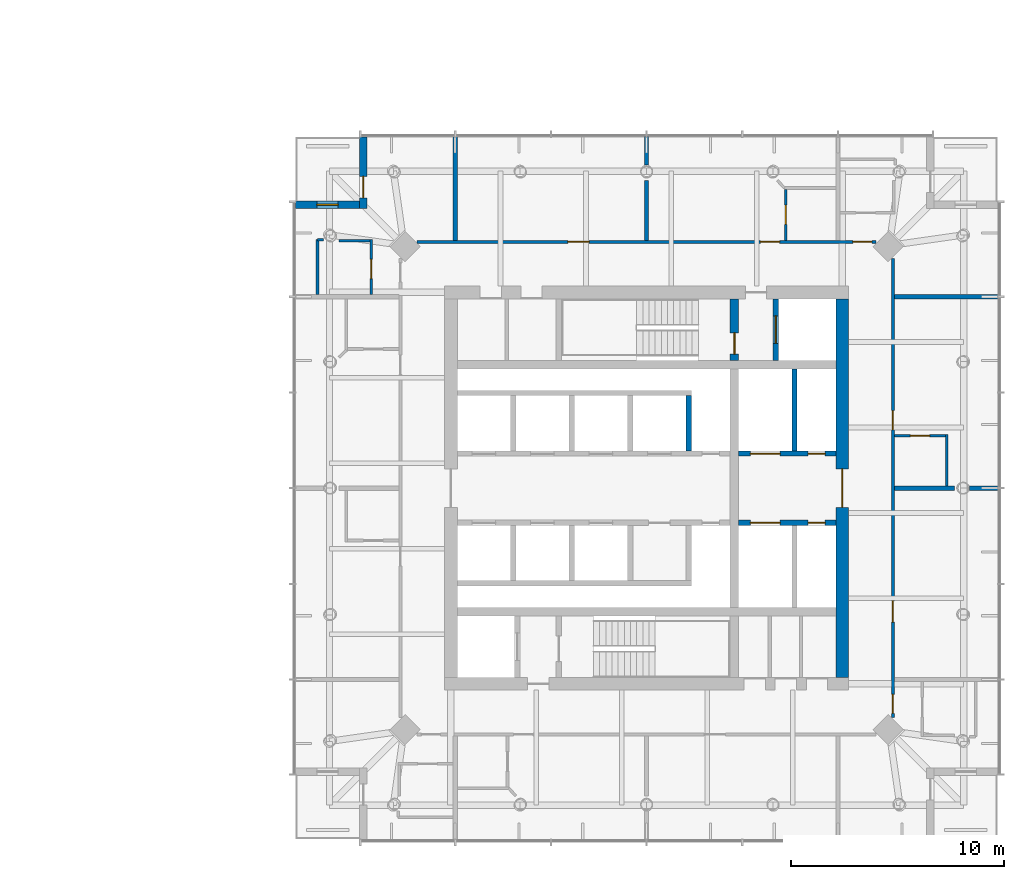
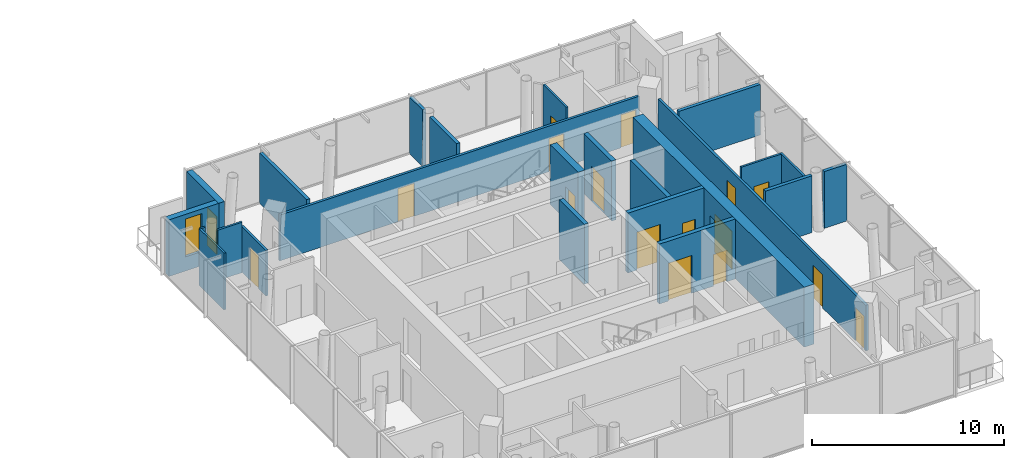
# One storey, part 15 of 19: 24 walls, 17 doors, 1 window, 18 openings.
"""IFC4 building model written with IfcOpenShell, lengths in metres."""

import ifcopenshell
import ifcopenshell.guid

model = None  # the IFC model being written
_history = None  # IfcOwnerHistory: only IFC2X3 demands one
_inside = {}  # id of a spatial element -> (the spatial element, [elements in it])
_under = {}  # id of a project, library or spatial element -> (it, [spatial elements below it])
_declared = {}  # id of a project -> (the project, [libraries it declares])
_typed = {}  # id of a type object -> (the type object, [elements of that type])
_made_of = {}  # id of a material, layer set ... -> (it, [elements and type objects made of it])


def new_model(schema):
    """Start an empty IFC model of exactly this schema.

    Asked for "IFC4X3", IfcOpenShell would pick the latest addendum, in which some entities
    have other attributes; the version numbers below select the first issue.
    IFC2X3 requires an IfcOwnerHistory on every rooted entity: one is made here for all.
    """
    global model, _history
    if schema == "IFC4X3":
        model = ifcopenshell.file(schema_version=(4, 3, 0, 0))
    else:
        model = ifcopenshell.file(schema=schema)
    _inside.clear()
    _under.clear()
    _declared.clear()
    _typed.clear()
    _made_of.clear()
    _history = None
    if model.schema == "IFC2X3":
        org = make("IfcOrganization", Name="unknown")
        user = make(
            "IfcPersonAndOrganization",
            ThePerson=make("IfcPerson", FamilyName="unknown"),
            TheOrganization=org,
        )
        app = make(
            "IfcApplication",
            ApplicationDeveloper=org,
            Version="unknown",
            ApplicationFullName="unknown",
            ApplicationIdentifier="unknown",
        )
        _history = make(
            "IfcOwnerHistory",
            OwningUser=user,
            OwningApplication=app,
            ChangeAction="ADDED",
            CreationDate=0,
        )
    return model


def make(cls, **values):
    """One entity of the class cls with the attributes given. An attribute that is None is left unset."""
    return model.create_entity(
        cls, **{name: value for name, value in values.items() if value is not None}
    )


def rooted(cls, **values):
    """An entity with a GlobalId (a new one), such as an element, a storey or a relation."""
    return make(cls, GlobalId=ifcopenshell.guid.new(), OwnerHistory=_history, **values)


def si_unit(unit_type, name, prefix=None):
    """IfcSIUnit, for example si_unit("LENGTHUNIT", "METRE", prefix="MILLI")."""
    return make("IfcSIUnit", UnitType=unit_type, Prefix=prefix, Name=name)


def assignment(units):
    """IfcUnitAssignment: the units of a project."""
    return None if units is None else make("IfcUnitAssignment", Units=units)


def point(xyz):
    """IfcCartesianPoint."""
    return None if xyz is None else make("IfcCartesianPoint", Coordinates=xyz)


def direction(xyz):
    """IfcDirection."""
    return None if xyz is None else make("IfcDirection", DirectionRatios=xyz)


def frame(location, z_axis=None, x_axis=None):
    """IfcAxis2Placement3D, a coordinate frame: its origin and axes. An axis left out is left unset."""
    return make(
        "IfcAxis2Placement3D",
        Location=point(location),
        Axis=direction(z_axis),
        RefDirection=direction(x_axis),
    )


def frame_2d(location, x_axis=None):
    """IfcAxis2Placement2D, a coordinate frame in the plane: its origin and x axis."""
    return make(
        "IfcAxis2Placement2D", Location=point(location), RefDirection=direction(x_axis)
    )


def origin():
    """The frame at (0, 0, 0) with its axes left unset."""
    return frame((0.0, 0.0, 0.0))


def place(relative_to, where):
    """IfcLocalPlacement: puts the frame where relative to a parent placement (None: the world)."""
    return make(
        "IfcLocalPlacement", PlacementRelTo=relative_to, RelativePlacement=where
    )


def context(
    kind, dimensions, precision=None, world=None, true_north=None, identifier=None
):
    """IfcGeometricRepresentationContext, for example the 3D "Model" context."""
    return make(
        "IfcGeometricRepresentationContext",
        ContextIdentifier=identifier,
        ContextType=kind,
        CoordinateSpaceDimension=dimensions,
        Precision=precision,
        WorldCoordinateSystem=world,
        TrueNorth=true_north,
    )


def subcontext(parent, identifier, kind, view, scale=None):
    """IfcGeometricRepresentationSubContext, for example "Body" below "Model"."""
    return make(
        "IfcGeometricRepresentationSubContext",
        ContextIdentifier=identifier,
        ContextType=kind,
        ParentContext=parent,
        TargetScale=scale,
        TargetView=view,
    )


def project(units=None, contexts=None):
    """IfcProject with its units and contexts."""
    return rooted(
        "IfcProject",
        Name="project",
        RepresentationContexts=contexts,
        UnitsInContext=assignment(units),
    )


def spatial(cls, under=None, at=None, **own):
    """A site, building, storey or space (cls), placed at a placement, below another one or the project."""
    s = rooted(cls, ObjectPlacement=at, **own)
    if under is not None:
        _under.setdefault(under.id(), (under, []))[1].append(s)
    return s


def profile(cls, at=None, kind="AREA", **sizes):
    """A parametric profile (cls). Its sizes go by their IFC names, for example OverallWidth=200.0."""
    return make(cls, ProfileType=kind, Position=at, **sizes)


def rectangle(**sizes):
    """IfcRectangleProfileDef."""
    return profile("IfcRectangleProfileDef", **sizes)


def extrude(swept, where, along, depth):
    """IfcExtrudedAreaSolid: the profile swept, set in the frame where, extruded along a direction by depth."""
    return make(
        "IfcExtrudedAreaSolid",
        SweptArea=swept,
        Position=where,
        ExtrudedDirection=direction(along),
        Depth=depth,
    )


def shape(context_of_items, identifier, shape_type, items):
    """IfcShapeRepresentation: the items that make up one representation, for example the "Body"."""
    return make(
        "IfcShapeRepresentation",
        ContextOfItems=context_of_items,
        RepresentationIdentifier=identifier,
        RepresentationType=shape_type,
        Items=items,
    )


def material(Name=None, Category=None):
    """IfcMaterial."""
    return make("IfcMaterial", Name=Name, Category=Category)


def layer(
    of_material, thickness, ventilated=None, Name=None, Category=None, Priority=None
):
    """IfcMaterialLayer: one layer of a wall or slab, of a material (None: an air gap)."""
    return make(
        "IfcMaterialLayer",
        Material=of_material,
        LayerThickness=thickness,
        IsVentilated=ventilated,
        Name=Name,
        Category=Category,
        Priority=Priority,
    )


def layer_set(layers, Name=None):
    """IfcMaterialLayerSet."""
    return make("IfcMaterialLayerSet", MaterialLayers=layers, LayerSetName=Name)


def made_of(thing, what):
    """Note that an element or type object is made of a material, layer set ...; save() writes the relation."""
    if what is not None:
        _made_of.setdefault(what.id(), (what, []))[1].append(thing)
    return thing


def type_object(cls, material=None, **own):
    """A type object (cls), such as IfcWallType, which elements share."""
    return made_of(rooted(cls, **own), material)


def element(
    cls,
    number,
    at=None,
    inside=None,
    cuts=None,
    type_object=None,
    material=None,
    context=None,
    identifier="Body",
    shape_type=None,
    held_by="IfcProductDefinitionShape",
    body=None,
    shapes=None,
    **own,
):
    """One element of the class cls, such as IfcWall. Its Tag is "e" and its number.

    at: its placement. inside: the storey or other place that contains it. cuts: it is an
    opening in that element (IfcRelVoidsElement). A single representation is given by context,
    identifier, shape_type and body (its items); several are given by shapes. held_by: the class
    of the entity that holds the representations. save() writes the other relations.
    """
    e = rooted(cls, Tag="e%d" % number, ObjectPlacement=at, **own)
    if body is not None:
        shapes = [shape(context, identifier, shape_type, body)]
    if shapes is not None:
        e.Representation = make(held_by, Representations=shapes)
    if inside is not None:
        _inside.setdefault(inside.id(), (inside, []))[1].append(e)
    if cuts is not None:
        rooted(
            "IfcRelVoidsElement", RelatingBuildingElement=cuts, RelatedOpeningElement=e
        )
    if type_object is not None:
        _typed.setdefault(type_object.id(), (type_object, []))[1].append(e)
    return made_of(e, material)


def fill(opening, filler):
    """IfcRelFillsElement: the door or window that sits in an opening."""
    return rooted(
        "IfcRelFillsElement",
        RelatingOpeningElement=opening,
        RelatedBuildingElement=filler,
    )


def aggregate(whole, parts):
    """IfcRelAggregates: a whole, such as a stair, and the parts it consists of."""
    return rooted("IfcRelAggregates", RelatingObject=whole, RelatedObjects=parts)


def save(model, path):
    """Write the relations noted so far, then the file.

    IfcRelAggregates (storeys below a building ...), IfcRelContainedInSpatialStructure (elements
    in a storey), IfcRelDefinesByType, IfcRelAssociatesMaterial and IfcRelDeclares: one each for
    every whole, place, type object, material and project.
    """
    for whole, parts in _under.values():
        aggregate(whole, parts)
    for where, things in _inside.values():
        rooted(
            "IfcRelContainedInSpatialStructure",
            RelatedElements=things,
            RelatingStructure=where,
        )
    for kind, things in _typed.values():
        rooted("IfcRelDefinesByType", RelatedObjects=things, RelatingType=kind)
    for what, things in _made_of.values():
        rooted("IfcRelAssociatesMaterial", RelatedObjects=things, RelatingMaterial=what)
    for by, libraries in _declared.values():
        rooted("IfcRelDeclares", RelatingContext=by, RelatedDefinitions=libraries)
    model.write(path)


model = new_model("IFC4")

# Units and contexts
model_context = context("Model", 3, precision=1e-05, world=origin(), true_north=direction((0.0, 1.0)))
body_context = subcontext(model_context, "Body", "Model", "MODEL_VIEW")
ifc_project = project(units=[si_unit("LENGTHUNIT", "METRE"), si_unit("AREAUNIT", "SQUARE_METRE"), si_unit("VOLUMEUNIT", "CUBIC_METRE"), si_unit("PLANEANGLEUNIT", "RADIAN"), si_unit("MASSUNIT", "GRAM", prefix="KILO")], contexts=[model_context])

# Site, building, storey
site_placement = place(None, origin())
site = spatial("IfcSite", under=ifc_project, at=site_placement, CompositionType="ELEMENT")
building_placement = place(site_placement, origin())
building = spatial("IfcBuilding", under=site, at=building_placement, Name="Ostroluk Exchange", CompositionType="ELEMENT")
storey_placement = place(building_placement, frame((0.0, 0.0, 116.0)))
storey = spatial("IfcBuildingStorey", under=building, at=storey_placement, Name="L29", CompositionType="ELEMENT", Elevation=116.0)

# Wall, opening, door
ifc_material_1 = material(Name="Concrete C50/60", Category="concrete")
ifc_layer_1 = layer(ifc_material_1, 0.39990234375)
ifc_layer_set_1 = layer_set([ifc_layer_1], Name="Core cross wall 400 C50/60")
wall_type_1 = type_object("IfcWallType", Name="Core cross wall 400 C50/60", PredefinedType="SHEAR", material=ifc_layer_set_1)
wall_1_placement = place(storey_placement, frame((121.1298828125, 52.0, 0.0), z_axis=(0.0, 0.0, 1.0), x_axis=(0.0, 1.0, 0.0)))
wall_1 = element("IfcWall", 1, at=wall_1_placement, inside=storey, type_object=wall_type_1, Name="T2 core wall YE3", PredefinedType="SHEAR", context=body_context, shape_type="SweptSolid", body=[
    extrude(rectangle(XDim=2.89990234375, YDim=0.39990234375, at=frame_2d((1.449951171875, 0.0))), origin(), (0.0, 0.0, 1.0), 3.800048828125),
])
opening_1_placement = place(wall_1_placement, frame((0.300048828125, 0.0, 0.0)))
opening_1 = element("IfcOpeningElement", 2, at=opening_1_placement, cuts=wall_1, Name="Opening FD60", PredefinedType="OPENING", context=body_context, shape_type="SweptSolid", body=[
    extrude(rectangle(XDim=1.0, YDim=2.10009765625, at=frame_2d((0.5, 1.050048828125))), frame((0.0, 0.2099609375, 0.0), z_axis=(0.0, -1.0, 0.0), x_axis=(1.0, 0.0, 0.0)), (0.0, 0.0, 1.0), 0.419921875),
])
ifc_material_2 = material(Name="Steel", Category="steel")
door_type_1 = type_object("IfcDoorType", Name="Fire door EI 60 1000 x 2100", OperationType="SINGLE_SWING_LEFT", PredefinedType="DOOR", material=ifc_material_2)
door_1_placement = place(opening_1_placement, origin())
door_1 = element("IfcDoor", 3, at=door_1_placement, inside=storey, type_object=door_type_1, Name="Stair T2-S2 door", OperationType="SINGLE_SWING_LEFT", OverallHeight=2.10009765625, OverallWidth=1.0, PredefinedType="DOOR", context=body_context, shape_type="SweptSolid", body=[
    extrude(rectangle(XDim=1.0, YDim=2.10009765625, at=frame_2d((0.5, 1.050048828125))), frame((0.0, 0.02490234375, 0.0), z_axis=(0.0, -1.0, 0.0), x_axis=(1.0, 0.0, 0.0)), (0.0, 0.0, 1.0), 0.050048828125),
])
fill(opening_1, door_1)

ifc_material_3 = material(Name="Concrete C40/50", Category="concrete")
ifc_layer_2 = layer(ifc_material_3, 0.25)
ifc_layer_set_2 = layer_set([ifc_layer_2], Name="Core shaft wall 250")
wall_type_2 = type_object("IfcWallType", Name="Core shaft wall 250", PredefinedType="SHEAR", material=ifc_layer_set_2)
wall_2_placement = place(storey_placement, frame((123.074951171875, 52.0, 0.0), z_axis=(0.0, 0.0, 1.0), x_axis=(0.0, 1.0, 0.0)))
wall_2 = element("IfcWall", 4, at=wall_2_placement, inside=storey, type_object=wall_type_2, Name="Firefighting lift shaft wall", PredefinedType="SHEAR", context=body_context, shape_type="SweptSolid", body=[
    extrude(rectangle(XDim=2.89990234375, YDim=0.25, at=frame_2d((1.449951171875, 0.0))), origin(), (0.0, 0.0, 1.0), 3.800048828125),
])
opening_2_placement = place(wall_2_placement, frame((0.800048828125, 0.0, 0.0)))
opening_2 = element("IfcOpeningElement", 5, at=opening_2_placement, cuts=wall_2, Name="Opening LD2", PredefinedType="OPENING", context=body_context, shape_type="SweptSolid", body=[
    extrude(rectangle(XDim=1.300048828125, YDim=2.199951171875, at=frame_2d((0.64990234375, 1.10009765625))), frame((0.0, 0.135009765625, 0.0), z_axis=(0.0, -1.0, 0.0), x_axis=(1.0, 0.0, 0.0)), (0.0, 0.0, 1.0), 0.27001953125),
])
ifc_material_4 = material(Name="Stainless steel", Category="steel")
door_type_2 = type_object("IfcDoorType", Name="Lift landing door E 60 1300 x 2200", OperationType="DOUBLE_DOOR_SLIDING", PredefinedType="DOOR", material=ifc_material_4)
door_2_placement = place(opening_2_placement, origin())
door_2 = element("IfcDoor", 6, at=door_2_placement, inside=storey, type_object=door_type_2, Name="Lift HF2 landing door", OperationType="DOUBLE_DOOR_SLIDING", OverallHeight=2.199951171875, OverallWidth=1.300048828125, PredefinedType="DOOR", context=body_context, shape_type="SweptSolid", body=[
    extrude(rectangle(XDim=1.300048828125, YDim=2.199951171875, at=frame_2d((0.64990234375, 1.10009765625))), frame((0.0, 0.02490234375, 0.0), z_axis=(0.0, -1.0, 0.0), x_axis=(1.0, 0.0, 0.0)), (0.0, 0.0, 1.0), 0.050048828125),
])
fill(opening_2, door_2)

# Walls
wall_3_placement = place(storey_placement, frame((118.97509765625, 47.75, 0.0), z_axis=(0.0, 0.0, 1.0), x_axis=(0.0, 1.0, 0.0)))
element("IfcWall", 7, at=wall_3_placement, inside=storey, type_object=wall_type_2, Name="Lift shaft wall", PredefinedType="SHEAR", context=body_context, shape_type="SweptSolid", body=[
    extrude(rectangle(XDim=2.60009765625, YDim=0.25, at=frame_2d((1.300048828125, 0.0))), origin(), (0.0, 0.0, 1.0), 3.800048828125),
])
wall_4_placement = place(storey_placement, frame((123.955078125, 47.75, 0.0), z_axis=(0.0, 0.0, 1.0), x_axis=(0.0, 1.0, 0.0)))
element("IfcWall", 8, at=wall_4_placement, inside=storey, type_object=wall_type_2, Name="Lift shaft wall", PredefinedType="SHEAR", context=body_context, shape_type="SweptSolid", body=[
    extrude(rectangle(XDim=3.85009765625, YDim=0.25, at=frame_2d((1.925048828125, 0.0))), origin(), (0.0, 0.0, 1.0), 3.800048828125),
])

# Wall, openings, doors
wall_5_placement = place(storey_placement, frame((121.330078125, 47.625, 0.0), z_axis=(0.0, 0.0, 1.0), x_axis=(1.0, 0.0, 0.0)))
wall_5 = element("IfcWall", 9, at=wall_5_placement, inside=storey, type_object=wall_type_2, Name="Lift shaft front wall", PredefinedType="SHEAR", context=body_context, shape_type="SweptSolid", body=[
    extrude(rectangle(XDim=4.56982421875, YDim=0.25, at=frame_2d((2.284912109375, 0.0))), origin(), (0.0, 0.0, 1.0), 3.800048828125),
])
opening_3_placement = place(wall_5_placement, frame((0.550048828125, 0.0, 0.0)))
opening_3 = element("IfcOpeningElement", 10, at=opening_3_placement, cuts=wall_5, Name="Opening LD3", PredefinedType="OPENING", context=body_context, shape_type="SweptSolid", body=[
    extrude(rectangle(XDim=1.39990234375, YDim=2.39990234375, at=frame_2d((0.699951171875, 1.199951171875))), frame((0.0, 0.135009765625, 0.0), z_axis=(0.0, -1.0, 0.0), x_axis=(1.0, 0.0, 0.0)), (0.0, 0.0, 1.0), 0.27001953125),
])
opening_4_placement = place(wall_5_placement, frame((3.260009765625, 0.0, 0.0)))
opening_4 = element("IfcOpeningElement", 11, at=opening_4_placement, cuts=wall_5, Name="Opening RD60", PredefinedType="OPENING", context=body_context, shape_type="SweptSolid", body=[
    extrude(rectangle(XDim=0.800048828125, YDim=2.0, at=frame_2d((0.39990234375, 1.0))), frame((0.0, 0.135009765625, 0.0), z_axis=(0.0, -1.0, 0.0), x_axis=(1.0, 0.0, 0.0)), (0.0, 0.0, 1.0), 0.27001953125),
])
ifc_material_5 = material(Name="Stainless steel", Category="steel")
door_type_3 = type_object("IfcDoorType", Name="Goods lift landing door E 60 1400 x 2400", OperationType="DOUBLE_DOOR_SLIDING", PredefinedType="DOOR", material=ifc_material_5)
door_3_placement = place(opening_3_placement, origin())
door_3 = element("IfcDoor", 12, at=door_3_placement, inside=storey, type_object=door_type_3, Name="Lift HS1 landing door", OperationType="DOUBLE_DOOR_SLIDING", OverallHeight=2.39990234375, OverallWidth=1.39990234375, PredefinedType="DOOR", context=body_context, shape_type="SweptSolid", body=[
    extrude(rectangle(XDim=1.39990234375, YDim=2.39990234375, at=frame_2d((0.699951171875, 1.199951171875))), frame((0.0, 0.02490234375, 0.0), z_axis=(0.0, -1.0, 0.0), x_axis=(1.0, 0.0, 0.0)), (0.0, 0.0, 1.0), 0.050048828125),
])
fill(opening_3, door_3)
ifc_material_6 = material(Name="Steel", Category="steel")
door_type_4 = type_object("IfcDoorType", Name="Riser access door EI 60 800 x 2000", OperationType="SINGLE_SWING_LEFT", PredefinedType="DOOR", material=ifc_material_6)
door_4_placement = place(opening_4_placement, origin())
door_4 = element("IfcDoor", 13, at=door_4_placement, inside=storey, type_object=door_type_4, Name="Riser access door", OperationType="SINGLE_SWING_RIGHT", OverallHeight=2.0, OverallWidth=0.800048828125, PredefinedType="DOOR", context=body_context, shape_type="SweptSolid", body=[
    extrude(rectangle(XDim=0.800048828125, YDim=2.0, at=frame_2d((0.39990234375, 1.0))), frame((0.0, 0.02490234375, 0.0), z_axis=(0.0, -1.0, 0.0), x_axis=(1.0, 0.0, 0.0)), (0.0, 0.0, 1.0), 0.050048828125),
])
fill(opening_4, door_4)

wall_6_placement = place(storey_placement, frame((121.330078125, 44.375, 0.0), z_axis=(0.0, 0.0, 1.0), x_axis=(1.0, 0.0, 0.0)))
wall_6 = element("IfcWall", 14, at=wall_6_placement, inside=storey, type_object=wall_type_2, Name="Lift shaft front wall", PredefinedType="SHEAR", context=body_context, shape_type="SweptSolid", body=[
    extrude(rectangle(XDim=4.56982421875, YDim=0.25, at=frame_2d((2.284912109375, 0.0))), origin(), (0.0, 0.0, 1.0), 3.800048828125),
])
opening_5_placement = place(wall_6_placement, frame((0.550048828125, 0.0, 0.0)))
opening_5 = element("IfcOpeningElement", 15, at=opening_5_placement, cuts=wall_6, Name="Opening LD3", PredefinedType="OPENING", context=body_context, shape_type="SweptSolid", body=[
    extrude(rectangle(XDim=1.39990234375, YDim=2.39990234375, at=frame_2d((0.699951171875, 1.199951171875))), frame((0.0, 0.135009765625, 0.0), z_axis=(0.0, -1.0, 0.0), x_axis=(1.0, 0.0, 0.0)), (0.0, 0.0, 1.0), 0.27001953125),
])
opening_6_placement = place(wall_6_placement, frame((3.260009765625, 0.0, 0.0)))
opening_6 = element("IfcOpeningElement", 16, at=opening_6_placement, cuts=wall_6, Name="Opening RD60", PredefinedType="OPENING", context=body_context, shape_type="SweptSolid", body=[
    extrude(rectangle(XDim=0.800048828125, YDim=2.0, at=frame_2d((0.39990234375, 1.0))), frame((0.0, 0.135009765625, 0.0), z_axis=(0.0, -1.0, 0.0), x_axis=(1.0, 0.0, 0.0)), (0.0, 0.0, 1.0), 0.27001953125),
])
door_5_placement = place(opening_5_placement, origin())
door_5 = element("IfcDoor", 17, at=door_5_placement, inside=storey, type_object=door_type_3, Name="Lift HS2 landing door", OperationType="DOUBLE_DOOR_SLIDING", OverallHeight=2.39990234375, OverallWidth=1.39990234375, PredefinedType="DOOR", context=body_context, shape_type="SweptSolid", body=[
    extrude(rectangle(XDim=1.39990234375, YDim=2.39990234375, at=frame_2d((0.699951171875, 1.199951171875))), frame((0.0, 0.02490234375, 0.0), z_axis=(0.0, -1.0, 0.0), x_axis=(1.0, 0.0, 0.0)), (0.0, 0.0, 1.0), 0.050048828125),
])
fill(opening_5, door_5)
door_6_placement = place(opening_6_placement, origin())
door_6 = element("IfcDoor", 18, at=door_6_placement, inside=storey, type_object=door_type_4, Name="Riser access door", OperationType="SINGLE_SWING_RIGHT", OverallHeight=2.0, OverallWidth=0.800048828125, PredefinedType="DOOR", context=body_context, shape_type="SweptSolid", body=[
    extrude(rectangle(XDim=0.800048828125, YDim=2.0, at=frame_2d((0.39990234375, 1.0))), frame((0.0, 0.02490234375, 0.0), z_axis=(0.0, -1.0, 0.0), x_axis=(1.0, 0.0, 0.0)), (0.0, 0.0, 1.0), 0.050048828125),
])
fill(opening_6, door_6)

# Wall, opening, door
ifc_material_7 = material(Name="Concrete C50/60", Category="concrete")
ifc_layer_3 = layer(ifc_material_7, 0.60009765625)
ifc_layer_set_3 = layer_set([ifc_layer_3], Name="Core wall 600 C50/60")
wall_type_3 = type_object("IfcWallType", Name="Core wall 600 C50/60", PredefinedType="SHEAR", material=ifc_layer_set_3)
wall_7_placement = place(storey_placement, frame((126.199951171875, 37.10009765625, 0.0), z_axis=(0.0, 0.0, 1.0), x_axis=(0.0, 1.0, 0.0)))
wall_7 = element("IfcWall", 19, at=wall_7_placement, inside=storey, type_object=wall_type_3, Name="T2 core wall E", PredefinedType="SHEAR", context=body_context, shape_type="SweptSolid", body=[
    extrude(rectangle(XDim=17.7998046875, YDim=0.60009765625, at=frame_2d((8.89990234375, 0.0))), origin(), (0.0, 0.0, 1.0), 3.800048828125),
])
opening_7_placement = place(wall_7_placement, frame((8.0, 0.0, 0.0)))
opening_7 = element("IfcOpeningElement", 20, at=opening_7_placement, cuts=wall_7, Name="Opening FD30D", PredefinedType="OPENING", context=body_context, shape_type="SweptSolid", body=[
    extrude(rectangle(XDim=1.800048828125, YDim=2.39990234375, at=frame_2d((0.89990234375, 1.199951171875))), frame((0.0, 0.31005859375, 0.0), z_axis=(0.0, -1.0, 0.0), x_axis=(1.0, 0.0, 0.0)), (0.0, 0.0, 1.0), 0.6201171875),
])
ifc_material_8 = material(Name="Timber", Category="wood")
door_type_5 = type_object("IfcDoorType", Name="Lobby double door EI 30 1800 x 2400", OperationType="DOUBLE_DOOR_SINGLE_SWING", PredefinedType="DOOR", material=ifc_material_8)
door_7_placement = place(opening_7_placement, origin())
door_7 = element("IfcDoor", 21, at=door_7_placement, inside=storey, type_object=door_type_5, Name="Lift lobby doors", OperationType="DOUBLE_DOOR_SINGLE_SWING", OverallHeight=2.39990234375, OverallWidth=1.800048828125, PredefinedType="DOOR", context=body_context, shape_type="SweptSolid", body=[
    extrude(rectangle(XDim=1.800048828125, YDim=2.39990234375, at=frame_2d((0.89990234375, 1.199951171875))), frame((0.0, 0.02490234375, 0.0), z_axis=(0.0, -1.0, 0.0), x_axis=(1.0, 0.0, 0.0)), (0.0, 0.0, 1.0), 0.050048828125),
])
fill(opening_7, door_7)

ifc_material_9 = material(Name="Limestone", Category="masonry")
ifc_layer_4 = layer(ifc_material_9, 0.35009765625)
ifc_layer_set_4 = layer_set([ifc_layer_4], Name="Limestone facade wall 350")
wall_type_4 = type_object("IfcWallType", Name="Limestone facade wall 350", PredefinedType="SOLIDWALL", material=ifc_layer_set_4)
wall_8_placement = place(storey_placement, frame((103.675048828125, 62.5, 0.0), z_axis=(0.0, 0.0, 1.0), x_axis=(0.0, -1.0, 0.0)))
wall_8 = element("IfcWall", 22, at=wall_8_placement, inside=storey, type_object=wall_type_4, Name="Hotel tower NW corner wall L29 a", PredefinedType="SOLIDWALL", context=body_context, shape_type="SweptSolid", body=[
    extrude(rectangle(XDim=3.35009765625, YDim=0.35009765625, at=frame_2d((1.675048828125, 0.0))), origin(), (0.0, 0.0, 1.0), 3.60009765625),
])
opening_8_placement = place(wall_8_placement, frame((1.85009765625, 0.0, 0.0)))
opening_8 = element("IfcOpeningElement", 23, at=opening_8_placement, cuts=wall_8, Name="Opening D-B1", PredefinedType="OPENING", context=body_context, shape_type="SweptSolid", body=[
    extrude(rectangle(XDim=1.0, YDim=2.39990234375, at=frame_2d((0.5, 1.199951171875))), frame((0.0, 0.18505859375, 0.0), z_axis=(0.0, -1.0, 0.0), x_axis=(1.0, 0.0, 0.0)), (0.0, 0.0, 1.0), 0.3701171875),
])
ifc_material_10 = material(Name="Bronze framed glazed door", Category="aluminium")
door_type_6 = type_object("IfcDoorType", Name="Balcony door 1000 x 2400", OperationType="SINGLE_SWING_LEFT", PredefinedType="DOOR", material=ifc_material_10)
door_8_placement = place(opening_8_placement, origin())
door_8 = element("IfcDoor", 24, at=door_8_placement, inside=storey, type_object=door_type_6, Name="Hotel tower NW balcony door L29", OperationType="SINGLE_SWING_RIGHT", OverallHeight=2.39990234375, OverallWidth=1.0, PredefinedType="DOOR", context=body_context, shape_type="SweptSolid", body=[
    extrude(rectangle(XDim=1.0, YDim=2.39990234375, at=frame_2d((0.5, 1.199951171875))), frame((0.0, 0.02490234375, 0.0), z_axis=(0.0, -1.0, 0.0), x_axis=(1.0, 0.0, 0.0)), (0.0, 0.0, 1.0), 0.050048828125),
])
fill(opening_8, door_8)

# Wall, opening, window
wall_9_placement = place(storey_placement, frame((103.5, 59.324951171875, 0.0), z_axis=(0.0, 0.0, 1.0), x_axis=(-1.0, 0.0, 0.0)))
wall_9 = element("IfcWall", 25, at=wall_9_placement, inside=storey, type_object=wall_type_4, Name="Hotel tower NW corner wall L29 b", PredefinedType="SOLIDWALL", context=body_context, shape_type="SweptSolid", body=[
    extrude(rectangle(XDim=3.0, YDim=0.35009765625, at=frame_2d((1.5, 0.0))), origin(), (0.0, 0.0, 1.0), 3.60009765625),
])
opening_9_placement = place(wall_9_placement, frame((1.0, 0.0, 0.89990234375)))
opening_9 = element("IfcOpeningElement", 26, at=opening_9_placement, cuts=wall_9, Name="Opening WN-L3", PredefinedType="OPENING", context=body_context, shape_type="SweptSolid", body=[
    extrude(rectangle(XDim=1.0, YDim=2.39990234375, at=frame_2d((0.5, 1.199951171875))), frame((0.0, 0.18505859375, 0.0), z_axis=(0.0, -1.0, 0.0), x_axis=(1.0, 0.0, 0.0)), (0.0, 0.0, 1.0), 0.3701171875),
])
ifc_material_11 = material(Name="Laminated clear glass", Category="glass")
window_type = type_object("IfcWindowType", Name="Hotel lancet window 1000 x 2400", PartitioningType="SINGLE_PANEL", PredefinedType="WINDOW", material=ifc_material_11)
window_placement = place(opening_9_placement, origin())
window = element("IfcWindow", 27, at=window_placement, inside=storey, type_object=window_type, Name="Hotel tower NW lancet window L29", OverallHeight=2.39990234375, OverallWidth=1.0, PartitioningType="SINGLE_PANEL", PredefinedType="WINDOW", context=body_context, shape_type="SweptSolid", body=[
    extrude(rectangle(XDim=1.0, YDim=2.39990234375, at=frame_2d((0.5, 1.199951171875))), frame((0.0, 0.030029296875, 0.0), z_axis=(0.0, -1.0, 0.0), x_axis=(1.0, 0.0, 0.0)), (0.0, 0.0, 1.0), 0.06005859375),
])
fill(opening_9, window)

# Wall
ifc_material_12 = material(Name="Gypsum plasterboard partition, moisture resistant", Category="gypsum")
ifc_layer_5 = layer(ifc_material_12, 0.1201171875)
ifc_layer_set_5 = layer_set([ifc_layer_5], Name="Plasterboard en-suite wall 120")
wall_type_5 = type_object("IfcWallType", Name="Plasterboard en-suite wall 120", PredefinedType="PARTITIONING", material=ifc_layer_set_5)
wall_10_placement = place(storey_placement, frame((131.110107421875, 46.10009765625, 0.0), z_axis=(0.0, 0.0, 1.0), x_axis=(0.0, 1.0, 0.0)))
element("IfcWall", 28, at=wall_10_placement, inside=storey, type_object=wall_type_5, Name="En-suite wall", PredefinedType="PARTITIONING", context=body_context, shape_type="SweptSolid", body=[
    extrude(rectangle(XDim=2.419921875, YDim=0.1201171875, at=frame_2d((1.2099609375, 0.0))), origin(), (0.0, 0.0, 1.0), 3.60009765625),
])

# Wall, opening, door
wall_11_placement = place(storey_placement, frame((128.64990234375, 48.4599609375, 0.0), z_axis=(0.0, 0.0, 1.0), x_axis=(1.0, 0.0, 0.0)))
wall_11 = element("IfcWall", 29, at=wall_11_placement, inside=storey, type_object=wall_type_5, Name="En-suite wall", PredefinedType="PARTITIONING", context=body_context, shape_type="SweptSolid", body=[
    extrude(rectangle(XDim=2.400146484375, YDim=0.1201171875, at=frame_2d((1.2001953125, 0.0))), origin(), (0.0, 0.0, 1.0), 3.60009765625),
])
opening_10_placement = place(wall_11_placement, frame((0.75, 0.0, 0.0)))
opening_10 = element("IfcOpeningElement", 30, at=opening_10_placement, cuts=wall_11, Name="Opening D-02", PredefinedType="OPENING", context=body_context, shape_type="SweptSolid", body=[
    extrude(rectangle(XDim=0.89990234375, YDim=2.10009765625, at=frame_2d((0.449951171875, 1.050048828125))), frame((0.0, 0.070068359375, 0.0), z_axis=(0.0, -1.0, 0.0), x_axis=(1.0, 0.0, 0.0)), (0.0, 0.0, 1.0), 0.14013671875),
])
ifc_material_13 = material(Name="Timber", Category="wood")
door_type_7 = type_object("IfcDoorType", Name="En-suite door 900 x 2100", OperationType="SINGLE_SWING_LEFT", PredefinedType="DOOR", material=ifc_material_13)
door_9_placement = place(opening_10_placement, origin())
door_9 = element("IfcDoor", 31, at=door_9_placement, inside=storey, type_object=door_type_7, Name="En-suite door 2902", OperationType="SINGLE_SWING_LEFT", OverallHeight=2.10009765625, OverallWidth=0.89990234375, PredefinedType="DOOR", context=body_context, shape_type="SweptSolid", body=[
    extrude(rectangle(XDim=0.89990234375, YDim=2.10009765625, at=frame_2d((0.449951171875, 1.050048828125))), frame((0.0, 0.02490234375, 0.0), z_axis=(0.0, -1.0, 0.0), x_axis=(1.0, 0.0, 0.0)), (0.0, 0.0, 1.0), 0.050048828125),
])
fill(opening_10, door_9)

wall_12_placement = place(storey_placement, frame((123.5400390625, 57.64990234375, 0.0), z_axis=(0.0, 0.0, 1.0), x_axis=(0.0, 1.0, 0.0)))
wall_12 = element("IfcWall", 32, at=wall_12_placement, inside=storey, type_object=wall_type_5, Name="En-suite wall", PredefinedType="PARTITIONING", context=body_context, shape_type="SweptSolid", body=[
    extrude(rectangle(XDim=2.400146484375, YDim=0.1201171875, at=frame_2d((1.2001953125, 0.0))), origin(), (0.0, 0.0, 1.0), 3.60009765625),
])
opening_11_placement = place(wall_12_placement, frame((0.75, 0.0, 0.0)))
opening_11 = element("IfcOpeningElement", 33, at=opening_11_placement, cuts=wall_12, Name="Opening D-02", PredefinedType="OPENING", context=body_context, shape_type="SweptSolid", body=[
    extrude(rectangle(XDim=0.89990234375, YDim=2.10009765625, at=frame_2d((0.449951171875, 1.050048828125))), frame((0.0, 0.070068359375, 0.0), z_axis=(0.0, -1.0, 0.0), x_axis=(1.0, 0.0, 0.0)), (0.0, 0.0, 1.0), 0.14013671875),
])
door_10_placement = place(opening_11_placement, origin())
door_10 = element("IfcDoor", 34, at=door_10_placement, inside=storey, type_object=door_type_7, Name="En-suite door 2904", OperationType="SINGLE_SWING_RIGHT", OverallHeight=2.10009765625, OverallWidth=0.89990234375, PredefinedType="DOOR", context=body_context, shape_type="SweptSolid", body=[
    extrude(rectangle(XDim=0.89990234375, YDim=2.10009765625, at=frame_2d((0.449951171875, 1.050048828125))), frame((0.0, 0.02490234375, 0.0), z_axis=(0.0, -1.0, 0.0), x_axis=(1.0, 0.0, 0.0)), (0.0, 0.0, 1.0), 0.050048828125),
])
fill(opening_11, door_10)

wall_13_placement = place(storey_placement, frame((104.050048828125, 55.10009765625, 0.0), z_axis=(0.0, 0.0, 1.0), x_axis=(0.0, 1.0, 0.0)))
wall_13 = element("IfcWall", 35, at=wall_13_placement, inside=storey, type_object=wall_type_5, Name="En-suite wall", PredefinedType="PARTITIONING", context=body_context, shape_type="SweptSolid", body=[
    extrude(rectangle(XDim=2.579833984375, YDim=0.1201171875, at=frame_2d((1.2900390625, 0.0))), origin(), (0.0, 0.0, 1.0), 2.89990234375),
])
opening_12_placement = place(wall_13_placement, frame((0.75, 0.0, 0.0)))
opening_12 = element("IfcOpeningElement", 36, at=opening_12_placement, cuts=wall_13, Name="Opening D-02", PredefinedType="OPENING", context=body_context, shape_type="SweptSolid", body=[
    extrude(rectangle(XDim=0.89990234375, YDim=2.10009765625, at=frame_2d((0.449951171875, 1.050048828125))), frame((0.0, 0.070068359375, 0.0), z_axis=(0.0, -1.0, 0.0), x_axis=(1.0, 0.0, 0.0)), (0.0, 0.0, 1.0), 0.14013671875),
])
door_11_placement = place(opening_12_placement, origin())
door_11 = element("IfcDoor", 37, at=door_11_placement, inside=storey, type_object=door_type_7, Name="En-suite door 2905", OperationType="SINGLE_SWING_LEFT", OverallHeight=2.10009765625, OverallWidth=0.89990234375, PredefinedType="DOOR", context=body_context, shape_type="SweptSolid", body=[
    extrude(rectangle(XDim=0.89990234375, YDim=2.10009765625, at=frame_2d((0.449951171875, 1.050048828125))), frame((0.0, 0.02490234375, 0.0), z_axis=(0.0, -1.0, 0.0), x_axis=(1.0, 0.0, 0.0)), (0.0, 0.0, 1.0), 0.050048828125),
])
fill(opening_12, door_11)

# Walls
wall_14_placement = place(storey_placement, frame((101.530029296875, 55.10009765625, 0.0), z_axis=(0.0, 0.0, 1.0), x_axis=(0.0, 1.0, 0.0)))
element("IfcWall", 38, at=wall_14_placement, inside=storey, type_object=wall_type_5, Name="En-suite wall", PredefinedType="PARTITIONING", context=body_context, shape_type="SweptSolid", body=[
    extrude(rectangle(XDim=2.579833984375, YDim=0.1201171875, at=frame_2d((1.2900390625, 0.0))), origin(), (0.0, 0.0, 1.0), 3.60009765625),
])
wall_15_placement = place(storey_placement, frame((103.989990234375, 57.6201171875, 0.0), z_axis=(0.0, 0.0, 1.0), x_axis=(-1.0, 0.0, 0.0)))
element("IfcWall", 39, at=wall_15_placement, inside=storey, type_object=wall_type_5, Name="En-suite wall", PredefinedType="PARTITIONING", context=body_context, shape_type="SweptSolid", body=[
    extrude(rectangle(XDim=1.451904296875, YDim=0.1201171875, at=frame_2d((0.72607421875, 0.0))), origin(), (0.0, 0.0, 1.0), 3.199951171875),
])
wall_16_placement = place(storey_placement, frame((101.530029296875, 57.679931640625, 0.0), z_axis=(0.0, 0.0, 1.0), x_axis=(1.0, 0.0, 0.0)))
element("IfcWall", 40, at=wall_16_placement, inside=storey, type_object=wall_type_5, Name="En-suite wall", PredefinedType="PARTITIONING", context=body_context, shape_type="SweptSolid", body=[
    extrude(rectangle(XDim=0.285400390625, YDim=0.1201171875, at=frame_2d((0.142578125, 0.0))), origin(), (0.0, 0.0, 1.0), 3.60009765625),
])

# Wall, openings, doors
ifc_material_14 = material(Name="Gypsum plasterboard partition", Category="gypsum")
ifc_layer_6 = layer(ifc_material_14, 0.14990234375)
ifc_layer_set_6 = layer_set([ifc_layer_6], Name="Plasterboard partition 150")
wall_type_6 = type_object("IfcWallType", Name="Plasterboard partition 150", PredefinedType="PARTITIONING", material=ifc_layer_set_6)
wall_17_placement = place(storey_placement, frame((128.574951171875, 35.20703125, 0.0), z_axis=(0.0, 0.0, 1.0), x_axis=(0.0, 1.0, 0.0)))
wall_17 = element("IfcWall", 41, at=wall_17_placement, inside=storey, type_object=wall_type_6, Name="Corridor wall", PredefinedType="PARTITIONING", context=body_context, shape_type="SweptSolid", body=[
    extrude(rectangle(XDim=21.5859375, YDim=0.14990234375, at=frame_2d((10.79296875, 0.0))), origin(), (0.0, 0.0, 1.0), 2.89990234375),
])
opening_13_placement = place(wall_17_placement, frame((0.199951171875, 0.0, 0.0)))
opening_13 = element("IfcOpeningElement", 42, at=opening_13_placement, cuts=wall_17, Name="Opening D-01", PredefinedType="OPENING", context=body_context, shape_type="SweptSolid", body=[
    extrude(rectangle(XDim=0.89990234375, YDim=2.10009765625, at=frame_2d((0.449951171875, 1.050048828125))), frame((0.0, 0.0849609375, 0.0), z_axis=(0.0, -1.0, 0.0), x_axis=(1.0, 0.0, 0.0)), (0.0, 0.0, 1.0), 0.169921875),
])
opening_14_placement = place(wall_17_placement, frame((4.492919921875, 0.0, 0.0)))
opening_14 = element("IfcOpeningElement", 43, at=opening_14_placement, cuts=wall_17, Name="Opening D-03", PredefinedType="OPENING", context=body_context, shape_type="SweptSolid", body=[
    extrude(rectangle(XDim=1.0, YDim=2.10009765625, at=frame_2d((0.5, 1.050048828125))), frame((0.0, 0.0849609375, 0.0), z_axis=(0.0, -1.0, 0.0), x_axis=(1.0, 0.0, 0.0)), (0.0, 0.0, 1.0), 0.169921875),
])
opening_15_placement = place(wall_17_placement, frame((13.54296875, 0.0, 0.0)))
opening_15 = element("IfcOpeningElement", 44, at=opening_15_placement, cuts=wall_17, Name="Opening D-01", PredefinedType="OPENING", context=body_context, shape_type="SweptSolid", body=[
    extrude(rectangle(XDim=0.89990234375, YDim=2.10009765625, at=frame_2d((0.449951171875, 1.050048828125))), frame((0.0, 0.0849609375, 0.0), z_axis=(0.0, -1.0, 0.0), x_axis=(1.0, 0.0, 0.0)), (0.0, 0.0, 1.0), 0.169921875),
])
ifc_material_15 = material(Name="Timber", Category="wood")
door_type_8 = type_object("IfcDoorType", Name="Hotel room door EI 30 Sa 900 x 2100", OperationType="SINGLE_SWING_LEFT", PredefinedType="DOOR", material=ifc_material_15)
door_12_placement = place(opening_13_placement, origin())
door_12 = element("IfcDoor", 45, at=door_12_placement, inside=storey, type_object=door_type_8, Name="Room door 2901", OperationType="SINGLE_SWING_RIGHT", OverallHeight=2.10009765625, OverallWidth=0.89990234375, PredefinedType="DOOR", context=body_context, shape_type="SweptSolid", body=[
    extrude(rectangle(XDim=0.89990234375, YDim=2.10009765625, at=frame_2d((0.449951171875, 1.050048828125))), frame((0.0, 0.02490234375, 0.0), z_axis=(0.0, -1.0, 0.0), x_axis=(1.0, 0.0, 0.0)), (0.0, 0.0, 1.0), 0.050048828125),
])
fill(opening_13, door_12)
door_13_placement = place(opening_15_placement, origin())
door_13 = element("IfcDoor", 46, at=door_13_placement, inside=storey, type_object=door_type_8, Name="Room door 2902", OperationType="SINGLE_SWING_RIGHT", OverallHeight=2.10009765625, OverallWidth=0.89990234375, PredefinedType="DOOR", context=body_context, shape_type="SweptSolid", body=[
    extrude(rectangle(XDim=0.89990234375, YDim=2.10009765625, at=frame_2d((0.449951171875, 1.050048828125))), frame((0.0, 0.02490234375, 0.0), z_axis=(0.0, -1.0, 0.0), x_axis=(1.0, 0.0, 0.0)), (0.0, 0.0, 1.0), 0.050048828125),
])
fill(opening_15, door_13)
ifc_material_16 = material(Name="Timber", Category="wood")
door_type_9 = type_object("IfcDoorType", Name="Internal door 1000 x 2100", OperationType="SINGLE_SWING_LEFT", PredefinedType="DOOR", material=ifc_material_16)
door_14_placement = place(opening_14_placement, origin())
door_14 = element("IfcDoor", 47, at=door_14_placement, inside=storey, type_object=door_type_9, Name="Guest lounge door", OperationType="SINGLE_SWING_LEFT", OverallHeight=2.10009765625, OverallWidth=1.0, PredefinedType="DOOR", context=body_context, shape_type="SweptSolid", body=[
    extrude(rectangle(XDim=1.0, YDim=2.10009765625, at=frame_2d((0.5, 1.050048828125))), frame((0.0, 0.02490234375, 0.0), z_axis=(0.0, -1.0, 0.0), x_axis=(1.0, 0.0, 0.0)), (0.0, 0.0, 1.0), 0.050048828125),
])
fill(opening_14, door_14)

wall_18_placement = place(storey_placement, frame((127.79296875, 57.574951171875, 0.0), z_axis=(0.0, 0.0, 1.0), x_axis=(-1.0, 0.0, 0.0)))
wall_18 = element("IfcWall", 48, at=wall_18_placement, inside=storey, type_object=wall_type_6, Name="Corridor wall", PredefinedType="PARTITIONING", context=body_context, shape_type="SweptSolid", body=[
    extrude(rectangle(XDim=21.5859375, YDim=0.14990234375, at=frame_2d((10.79296875, 0.0))), origin(), (0.0, 0.0, 1.0), 2.89990234375),
])
opening_16_placement = place(wall_18_placement, frame((0.199951171875, 0.0, 0.0)))
opening_16 = element("IfcOpeningElement", 49, at=opening_16_placement, cuts=wall_18, Name="Opening D-01", PredefinedType="OPENING", context=body_context, shape_type="SweptSolid", body=[
    extrude(rectangle(XDim=0.89990234375, YDim=2.10009765625, at=frame_2d((0.449951171875, 1.050048828125))), frame((0.0, 0.0849609375, 0.0), z_axis=(0.0, -1.0, 0.0), x_axis=(1.0, 0.0, 0.0)), (0.0, 0.0, 1.0), 0.169921875),
])
opening_17_placement = place(wall_18_placement, frame((4.54296875, 0.0, 0.0)))
opening_17 = element("IfcOpeningElement", 50, at=opening_17_placement, cuts=wall_18, Name="Opening D-01", PredefinedType="OPENING", context=body_context, shape_type="SweptSolid", body=[
    extrude(rectangle(XDim=0.89990234375, YDim=2.10009765625, at=frame_2d((0.449951171875, 1.050048828125))), frame((0.0, 0.0849609375, 0.0), z_axis=(0.0, -1.0, 0.0), x_axis=(1.0, 0.0, 0.0)), (0.0, 0.0, 1.0), 0.169921875),
])
opening_18_placement = place(wall_18_placement, frame((13.492919921875, 0.0, 0.0)))
opening_18 = element("IfcOpeningElement", 51, at=opening_18_placement, cuts=wall_18, Name="Opening D-03", PredefinedType="OPENING", context=body_context, shape_type="SweptSolid", body=[
    extrude(rectangle(XDim=1.0, YDim=2.10009765625, at=frame_2d((0.5, 1.050048828125))), frame((0.0, 0.0849609375, 0.0), z_axis=(0.0, -1.0, 0.0), x_axis=(1.0, 0.0, 0.0)), (0.0, 0.0, 1.0), 0.169921875),
])
door_15_placement = place(opening_16_placement, origin())
door_15 = element("IfcDoor", 52, at=door_15_placement, inside=storey, type_object=door_type_8, Name="Room door 2903", OperationType="SINGLE_SWING_RIGHT", OverallHeight=2.10009765625, OverallWidth=0.89990234375, PredefinedType="DOOR", context=body_context, shape_type="SweptSolid", body=[
    extrude(rectangle(XDim=0.89990234375, YDim=2.10009765625, at=frame_2d((0.449951171875, 1.050048828125))), frame((0.0, 0.02490234375, 0.0), z_axis=(0.0, -1.0, 0.0), x_axis=(1.0, 0.0, 0.0)), (0.0, 0.0, 1.0), 0.050048828125),
])
fill(opening_16, door_15)
door_16_placement = place(opening_17_placement, origin())
door_16 = element("IfcDoor", 53, at=door_16_placement, inside=storey, type_object=door_type_8, Name="Room door 2904", OperationType="SINGLE_SWING_LEFT", OverallHeight=2.10009765625, OverallWidth=0.89990234375, PredefinedType="DOOR", context=body_context, shape_type="SweptSolid", body=[
    extrude(rectangle(XDim=0.89990234375, YDim=2.10009765625, at=frame_2d((0.449951171875, 1.050048828125))), frame((0.0, 0.02490234375, 0.0), z_axis=(0.0, -1.0, 0.0), x_axis=(1.0, 0.0, 0.0)), (0.0, 0.0, 1.0), 0.050048828125),
])
fill(opening_17, door_16)
door_17_placement = place(opening_18_placement, origin())
door_17 = element("IfcDoor", 54, at=door_17_placement, inside=storey, type_object=door_type_9, Name="Guest lounge door", OperationType="SINGLE_SWING_RIGHT", OverallHeight=2.10009765625, OverallWidth=1.0, PredefinedType="DOOR", context=body_context, shape_type="SweptSolid", body=[
    extrude(rectangle(XDim=1.0, YDim=2.10009765625, at=frame_2d((0.5, 1.050048828125))), frame((0.0, 0.02490234375, 0.0), z_axis=(0.0, -1.0, 0.0), x_axis=(1.0, 0.0, 0.0)), (0.0, 0.0, 1.0), 0.050048828125),
])
fill(opening_18, door_17)

# Walls
ifc_material_17 = material(Name="Gypsum plasterboard partition", Category="gypsum")
ifc_layer_7 = layer(ifc_material_17, 0.199951171875)
ifc_layer_set_7 = layer_set([ifc_layer_7], Name="Plasterboard party wall 200")
wall_type_7 = type_object("IfcWallType", Name="Plasterboard party wall 200", PredefinedType="PARTITIONING", material=ifc_layer_set_7)
wall_19_placement = place(storey_placement, frame((128.64990234375, 46.0, 0.0), z_axis=(0.0, 0.0, 1.0), x_axis=(1.0, 0.0, 0.0)))
element("IfcWall", 55, at=wall_19_placement, inside=storey, type_object=wall_type_7, Name="Party wall", PredefinedType="PARTITIONING", context=body_context, shape_type="SweptSolid", body=[
    extrude(rectangle(XDim=2.81201171875, YDim=0.199951171875, at=frame_2d((1.406005859375, 0.0))), origin(), (0.0, 0.0, 1.0), 3.60009765625),
])
wall_20_placement = place(storey_placement, frame((132.1845703125, 46.0, 0.0), z_axis=(0.0, 0.0, 1.0), x_axis=(1.0, 0.0, 0.0)))
element("IfcWall", 56, at=wall_20_placement, inside=storey, type_object=wall_type_7, Name="Party wall", PredefinedType="PARTITIONING", context=body_context, shape_type="SweptSolid", body=[
    extrude(rectangle(XDim=1.35546875, YDim=0.199951171875, at=frame_2d((0.677734375, 0.0))), origin(), (0.0, 0.0, 1.0), 3.60009765625),
])
wall_21_placement = place(storey_placement, frame((128.64990234375, 55.0, 0.0), z_axis=(0.0, 0.0, 1.0), x_axis=(1.0, 0.0, 0.0)))
element("IfcWall", 57, at=wall_21_placement, inside=storey, type_object=wall_type_7, Name="Party wall", PredefinedType="PARTITIONING", context=body_context, shape_type="SweptSolid", body=[
    extrude(rectangle(XDim=4.89013671875, YDim=0.199951171875, at=frame_2d((2.445068359375, 0.0))), origin(), (0.0, 0.0, 1.0), 3.199951171875),
])
wall_22_placement = place(storey_placement, frame((117.0, 57.64990234375, 0.0), z_axis=(0.0, 0.0, 1.0), x_axis=(0.0, 1.0, 0.0)))
element("IfcWall", 58, at=wall_22_placement, inside=storey, type_object=wall_type_7, Name="Party wall", PredefinedType="PARTITIONING", context=body_context, shape_type="SweptSolid", body=[
    extrude(rectangle(XDim=2.81201171875, YDim=0.199951171875, at=frame_2d((1.406005859375, 0.0))), origin(), (0.0, 0.0, 1.0), 3.60009765625),
])
wall_23_placement = place(storey_placement, frame((117.0, 61.1845703125, 0.0), z_axis=(0.0, 0.0, 1.0), x_axis=(0.0, 1.0, 0.0)))
element("IfcWall", 59, at=wall_23_placement, inside=storey, type_object=wall_type_7, Name="Party wall", PredefinedType="PARTITIONING", context=body_context, shape_type="SweptSolid", body=[
    extrude(rectangle(XDim=1.35546875, YDim=0.199951171875, at=frame_2d((0.677734375, 0.0))), origin(), (0.0, 0.0, 1.0), 3.60009765625),
])
wall_24_placement = place(storey_placement, frame((108.0, 57.64990234375, 0.0), z_axis=(0.0, 0.0, 1.0), x_axis=(0.0, 1.0, 0.0)))
element("IfcWall", 60, at=wall_24_placement, inside=storey, type_object=wall_type_7, Name="Party wall", PredefinedType="PARTITIONING", context=body_context, shape_type="SweptSolid", body=[
    extrude(rectangle(XDim=4.89013671875, YDim=0.199951171875, at=frame_2d((2.445068359375, 0.0))), origin(), (0.0, 0.0, 1.0), 3.199951171875),
])

save(model, "model.ifc")
